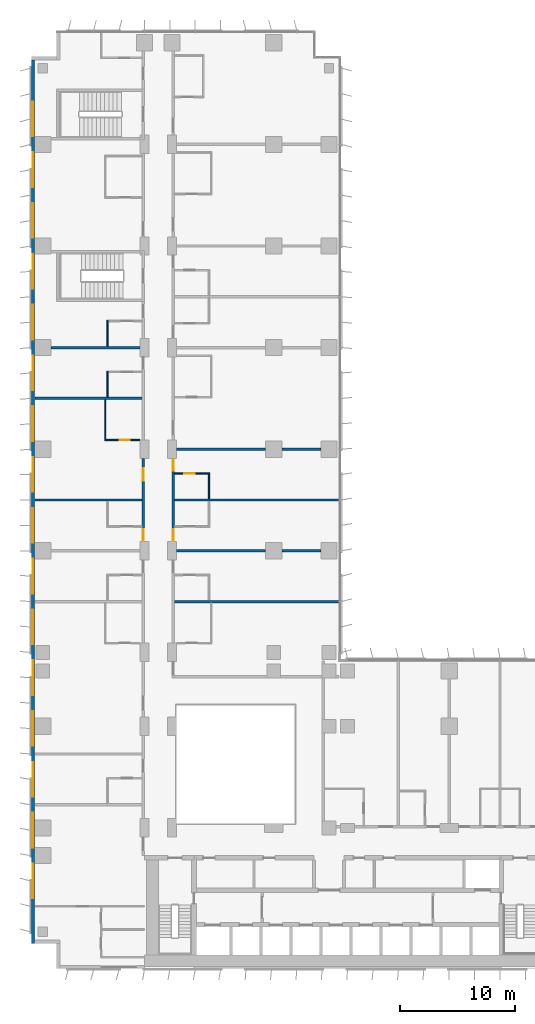
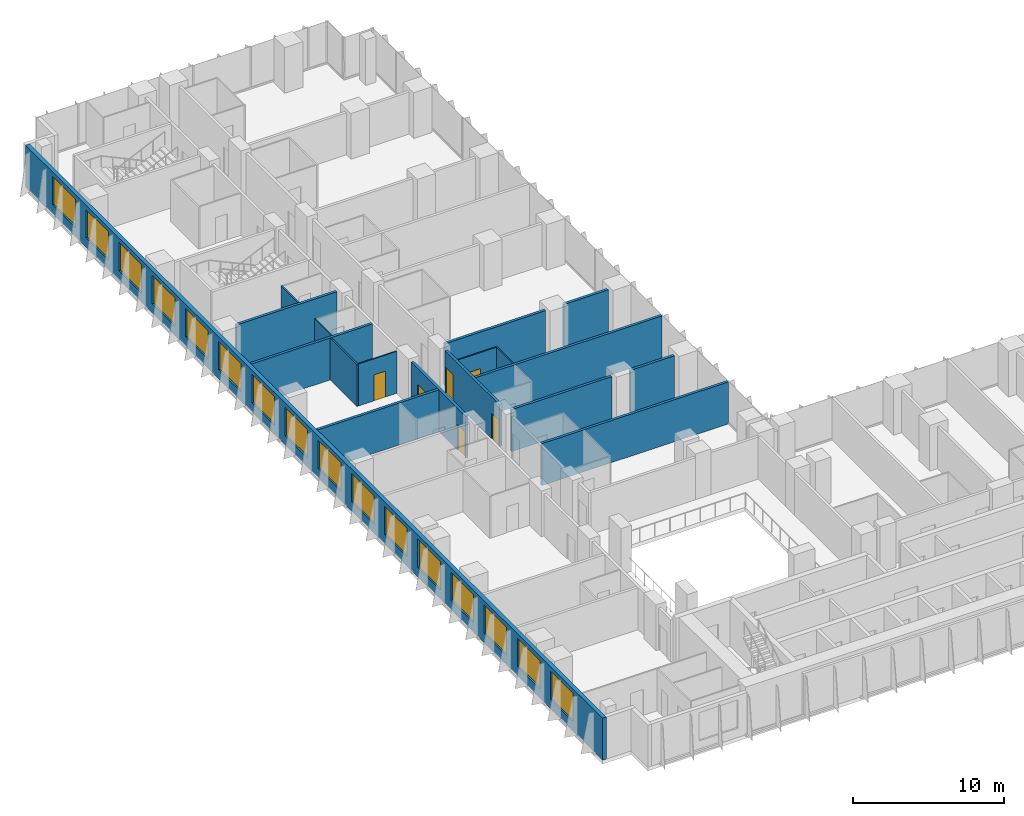
# One storey, part 16 of 24: 18 walls, 16 windows, 6 doors, 22 openings.
"""IFC4 building model written with IfcOpenShell, lengths in metres."""

from ifc_helpers import new_model, si_unit, direction, frame, frame_2d, origin, place, context, subcontext, project, spatial, rectangle, extrude, material, layer, layer_set, type_object, element, fill, save


model = new_model("IFC4")

# Units and contexts
model_context = context("Model", 3, precision=1e-05, world=origin(), true_north=direction((0.0, 1.0)))
body_context = subcontext(model_context, "Body", "Model", "MODEL_VIEW")
ifc_project = project(units=[si_unit("LENGTHUNIT", "METRE"), si_unit("AREAUNIT", "SQUARE_METRE"), si_unit("VOLUMEUNIT", "CUBIC_METRE"), si_unit("PLANEANGLEUNIT", "RADIAN"), si_unit("MASSUNIT", "GRAM", prefix="KILO")], contexts=[model_context])

# Site, building, storey
site_placement = place(None, origin())
site = spatial("IfcSite", under=ifc_project, at=site_placement, CompositionType="ELEMENT")
building_placement = place(site_placement, origin())
building = spatial("IfcBuilding", under=site, at=building_placement, Name="Kemantara Hotel Tower", CompositionType="ELEMENT")
storey_placement = place(building_placement, frame((0.0, 0.0, 63.60009765625)))
storey = spatial("IfcBuildingStorey", under=building, at=storey_placement, Name="L14", CompositionType="ELEMENT", Elevation=63.60009765625)

# Wall, openings, windows
ifc_material_1 = material(Name="Bronze anodised aluminium cladding on insulated steel stud wall", Category="steel")
ifc_layer_1 = layer(ifc_material_1, 0.300048828125)
ifc_layer_set_1 = layer_set([ifc_layer_1], Name="Bronze anodised aluminium cladding on insulated steel stud wall")
wall_type_1 = type_object("IfcWallType", Name="BRONZE METAL-CLAD EXTERNAL WALL 300", PredefinedType="STANDARD", material=ifc_layer_set_1)
wall_1_placement = place(storey_placement, frame((0.14990234375, 78.699951171875, 0.0), z_axis=(0.0, 0.0, 1.0), x_axis=(0.0, -1.0, 0.0)))
wall_1 = element("IfcWall", 1, at=wall_1_placement, inside=storey, type_object=wall_type_1, Name="EXTERNAL WALL L14 T1-R14", PredefinedType="STANDARD", context=body_context, shape_type="SweptSolid", body=[
    extrude(rectangle(XDim=76.5, YDim=0.300048828125, at=frame_2d((38.25, 0.0))), origin(), (0.0, 0.0, 1.0), 3.39990234375),
])
opening_1_placement = place(wall_1_placement, frame((3.60009765625, 0.0, 0.75)))
opening_1 = element("IfcOpeningElement", 2, at=opening_1_placement, cuts=wall_1, Name="Opening W1", PredefinedType="OPENING", context=body_context, shape_type="SweptSolid", body=[
    extrude(rectangle(XDim=3.0, YDim=2.300048828125, at=frame_2d((1.5, 1.14990234375))), frame((0.0, 0.159912109375, 0.0), z_axis=(0.0, -1.0, 0.0), x_axis=(1.0, 0.0, 0.0)), (0.0, 0.0, 1.0), 0.320068359375),
])
opening_2_placement = place(wall_1_placement, frame((8.0, 0.0, 0.75)))
opening_2 = element("IfcOpeningElement", 3, at=opening_2_placement, cuts=wall_1, Name="Opening W1", PredefinedType="OPENING", context=body_context, shape_type="SweptSolid", body=[
    extrude(rectangle(XDim=3.0, YDim=2.300048828125, at=frame_2d((1.5, 1.14990234375))), frame((0.0, 0.159912109375, 0.0), z_axis=(0.0, -1.0, 0.0), x_axis=(1.0, 0.0, 0.0)), (0.0, 0.0, 1.0), 0.320068359375),
])
opening_3_placement = place(wall_1_placement, frame((12.39990234375, 0.0, 0.75)))
opening_3 = element("IfcOpeningElement", 4, at=opening_3_placement, cuts=wall_1, Name="Opening W1", PredefinedType="OPENING", context=body_context, shape_type="SweptSolid", body=[
    extrude(rectangle(XDim=3.0, YDim=2.300048828125, at=frame_2d((1.5, 1.14990234375))), frame((0.0, 0.159912109375, 0.0), z_axis=(0.0, -1.0, 0.0), x_axis=(1.0, 0.0, 0.0)), (0.0, 0.0, 1.0), 0.320068359375),
])
opening_4_placement = place(wall_1_placement, frame((16.800048828125, 0.0, 0.75)))
opening_4 = element("IfcOpeningElement", 5, at=opening_4_placement, cuts=wall_1, Name="Opening W1", PredefinedType="OPENING", context=body_context, shape_type="SweptSolid", body=[
    extrude(rectangle(XDim=3.0, YDim=2.300048828125, at=frame_2d((1.5, 1.14990234375))), frame((0.0, 0.159912109375, 0.0), z_axis=(0.0, -1.0, 0.0), x_axis=(1.0, 0.0, 0.0)), (0.0, 0.0, 1.0), 0.320068359375),
])
opening_5_placement = place(wall_1_placement, frame((21.199951171875, 0.0, 0.75)))
opening_5 = element("IfcOpeningElement", 6, at=opening_5_placement, cuts=wall_1, Name="Opening W1", PredefinedType="OPENING", context=body_context, shape_type="SweptSolid", body=[
    extrude(rectangle(XDim=3.0, YDim=2.300048828125, at=frame_2d((1.5, 1.14990234375))), frame((0.0, 0.159912109375, 0.0), z_axis=(0.0, -1.0, 0.0), x_axis=(1.0, 0.0, 0.0)), (0.0, 0.0, 1.0), 0.320068359375),
])
opening_6_placement = place(wall_1_placement, frame((25.60009765625, 0.0, 0.75)))
opening_6 = element("IfcOpeningElement", 7, at=opening_6_placement, cuts=wall_1, Name="Opening W1", PredefinedType="OPENING", context=body_context, shape_type="SweptSolid", body=[
    extrude(rectangle(XDim=3.0, YDim=2.300048828125, at=frame_2d((1.5, 1.14990234375))), frame((0.0, 0.159912109375, 0.0), z_axis=(0.0, -1.0, 0.0), x_axis=(1.0, 0.0, 0.0)), (0.0, 0.0, 1.0), 0.320068359375),
])
opening_7_placement = place(wall_1_placement, frame((30.0, 0.0, 0.75)))
opening_7 = element("IfcOpeningElement", 8, at=opening_7_placement, cuts=wall_1, Name="Opening W1", PredefinedType="OPENING", context=body_context, shape_type="SweptSolid", body=[
    extrude(rectangle(XDim=3.0, YDim=2.300048828125, at=frame_2d((1.5, 1.14990234375))), frame((0.0, 0.159912109375, 0.0), z_axis=(0.0, -1.0, 0.0), x_axis=(1.0, 0.0, 0.0)), (0.0, 0.0, 1.0), 0.320068359375),
])
opening_8_placement = place(wall_1_placement, frame((34.39990234375, 0.0, 0.75)))
opening_8 = element("IfcOpeningElement", 9, at=opening_8_placement, cuts=wall_1, Name="Opening W1", PredefinedType="OPENING", context=body_context, shape_type="SweptSolid", body=[
    extrude(rectangle(XDim=3.0, YDim=2.300048828125, at=frame_2d((1.5, 1.14990234375))), frame((0.0, 0.159912109375, 0.0), z_axis=(0.0, -1.0, 0.0), x_axis=(1.0, 0.0, 0.0)), (0.0, 0.0, 1.0), 0.320068359375),
])
opening_9_placement = place(wall_1_placement, frame((38.800048828125, 0.0, 0.75)))
opening_9 = element("IfcOpeningElement", 10, at=opening_9_placement, cuts=wall_1, Name="Opening W1", PredefinedType="OPENING", context=body_context, shape_type="SweptSolid", body=[
    extrude(rectangle(XDim=3.0, YDim=2.300048828125, at=frame_2d((1.5, 1.14990234375))), frame((0.0, 0.159912109375, 0.0), z_axis=(0.0, -1.0, 0.0), x_axis=(1.0, 0.0, 0.0)), (0.0, 0.0, 1.0), 0.320068359375),
])
opening_10_placement = place(wall_1_placement, frame((43.199951171875, 0.0, 0.75)))
opening_10 = element("IfcOpeningElement", 11, at=opening_10_placement, cuts=wall_1, Name="Opening W1", PredefinedType="OPENING", context=body_context, shape_type="SweptSolid", body=[
    extrude(rectangle(XDim=3.0, YDim=2.300048828125, at=frame_2d((1.5, 1.14990234375))), frame((0.0, 0.159912109375, 0.0), z_axis=(0.0, -1.0, 0.0), x_axis=(1.0, 0.0, 0.0)), (0.0, 0.0, 1.0), 0.320068359375),
])
opening_11_placement = place(wall_1_placement, frame((47.60009765625, 0.0, 0.75)))
opening_11 = element("IfcOpeningElement", 12, at=opening_11_placement, cuts=wall_1, Name="Opening W1", PredefinedType="OPENING", context=body_context, shape_type="SweptSolid", body=[
    extrude(rectangle(XDim=3.0, YDim=2.300048828125, at=frame_2d((1.5, 1.14990234375))), frame((0.0, 0.159912109375, 0.0), z_axis=(0.0, -1.0, 0.0), x_axis=(1.0, 0.0, 0.0)), (0.0, 0.0, 1.0), 0.320068359375),
])
opening_12_placement = place(wall_1_placement, frame((52.0, 0.0, 0.75)))
opening_12 = element("IfcOpeningElement", 13, at=opening_12_placement, cuts=wall_1, Name="Opening W1", PredefinedType="OPENING", context=body_context, shape_type="SweptSolid", body=[
    extrude(rectangle(XDim=3.0, YDim=2.300048828125, at=frame_2d((1.5, 1.14990234375))), frame((0.0, 0.159912109375, 0.0), z_axis=(0.0, -1.0, 0.0), x_axis=(1.0, 0.0, 0.0)), (0.0, 0.0, 1.0), 0.320068359375),
])
opening_13_placement = place(wall_1_placement, frame((56.39990234375, 0.0, 0.75)))
opening_13 = element("IfcOpeningElement", 14, at=opening_13_placement, cuts=wall_1, Name="Opening W1", PredefinedType="OPENING", context=body_context, shape_type="SweptSolid", body=[
    extrude(rectangle(XDim=3.0, YDim=2.300048828125, at=frame_2d((1.5, 1.14990234375))), frame((0.0, 0.159912109375, 0.0), z_axis=(0.0, -1.0, 0.0), x_axis=(1.0, 0.0, 0.0)), (0.0, 0.0, 1.0), 0.320068359375),
])
opening_14_placement = place(wall_1_placement, frame((60.800048828125, 0.0, 0.75)))
opening_14 = element("IfcOpeningElement", 15, at=opening_14_placement, cuts=wall_1, Name="Opening W1", PredefinedType="OPENING", context=body_context, shape_type="SweptSolid", body=[
    extrude(rectangle(XDim=3.0, YDim=2.300048828125, at=frame_2d((1.5, 1.14990234375))), frame((0.0, 0.159912109375, 0.0), z_axis=(0.0, -1.0, 0.0), x_axis=(1.0, 0.0, 0.0)), (0.0, 0.0, 1.0), 0.320068359375),
])
opening_15_placement = place(wall_1_placement, frame((65.199951171875, 0.0, 0.75)))
opening_15 = element("IfcOpeningElement", 16, at=opening_15_placement, cuts=wall_1, Name="Opening W1", PredefinedType="OPENING", context=body_context, shape_type="SweptSolid", body=[
    extrude(rectangle(XDim=3.0, YDim=2.300048828125, at=frame_2d((1.5, 1.14990234375))), frame((0.0, 0.159912109375, 0.0), z_axis=(0.0, -1.0, 0.0), x_axis=(1.0, 0.0, 0.0)), (0.0, 0.0, 1.0), 0.320068359375),
])
opening_16_placement = place(wall_1_placement, frame((69.60009765625, 0.0, 0.75)))
opening_16 = element("IfcOpeningElement", 17, at=opening_16_placement, cuts=wall_1, Name="Opening W1", PredefinedType="OPENING", context=body_context, shape_type="SweptSolid", body=[
    extrude(rectangle(XDim=3.0, YDim=2.300048828125, at=frame_2d((1.5, 1.14990234375))), frame((0.0, 0.159912109375, 0.0), z_axis=(0.0, -1.0, 0.0), x_axis=(1.0, 0.0, 0.0)), (0.0, 0.0, 1.0), 0.320068359375),
])
ifc_material_2 = material(Name="Low-E tinted double insulated glass in bronze anodised aluminium frame", Category="aluminium")
window_type = type_object("IfcWindowType", Name="CHICAGO WINDOW, TRIPLE PANEL 3000x2300", PartitioningType="TRIPLE_PANEL_VERTICAL", PredefinedType="WINDOW", material=ifc_material_2)
window_1_placement = place(opening_1_placement, origin())
window_1 = element("IfcWindow", 18, at=window_1_placement, inside=storey, type_object=window_type, Name="CHICAGO WINDOW L14 T1-R14-54", OverallHeight=2.300048828125, OverallWidth=3.0, PartitioningType="SINGLE_PANEL", PredefinedType="WINDOW", context=body_context, shape_type="SweptSolid", body=[
    extrude(rectangle(XDim=3.0, YDim=2.300048828125, at=frame_2d((1.5, 1.14990234375))), frame((0.0, 0.030029296875, 0.0), z_axis=(0.0, -1.0, 0.0), x_axis=(1.0, 0.0, 0.0)), (0.0, 0.0, 1.0), 0.06005859375),
])
fill(opening_1, window_1)
window_2_placement = place(opening_2_placement, origin())
window_2 = element("IfcWindow", 19, at=window_2_placement, inside=storey, type_object=window_type, Name="CHICAGO WINDOW L14 T1-R14-98", OverallHeight=2.300048828125, OverallWidth=3.0, PartitioningType="SINGLE_PANEL", PredefinedType="WINDOW", context=body_context, shape_type="SweptSolid", body=[
    extrude(rectangle(XDim=3.0, YDim=2.300048828125, at=frame_2d((1.5, 1.14990234375))), frame((0.0, 0.030029296875, 0.0), z_axis=(0.0, -1.0, 0.0), x_axis=(1.0, 0.0, 0.0)), (0.0, 0.0, 1.0), 0.06005859375),
])
fill(opening_2, window_2)
window_3_placement = place(opening_3_placement, origin())
window_3 = element("IfcWindow", 20, at=window_3_placement, inside=storey, type_object=window_type, Name="CHICAGO WINDOW L14 T1-R14-142", OverallHeight=2.300048828125, OverallWidth=3.0, PartitioningType="SINGLE_PANEL", PredefinedType="WINDOW", context=body_context, shape_type="SweptSolid", body=[
    extrude(rectangle(XDim=3.0, YDim=2.300048828125, at=frame_2d((1.5, 1.14990234375))), frame((0.0, 0.030029296875, 0.0), z_axis=(0.0, -1.0, 0.0), x_axis=(1.0, 0.0, 0.0)), (0.0, 0.0, 1.0), 0.06005859375),
])
fill(opening_3, window_3)
window_4_placement = place(opening_4_placement, origin())
window_4 = element("IfcWindow", 21, at=window_4_placement, inside=storey, type_object=window_type, Name="CHICAGO WINDOW L14 T1-R14-186", OverallHeight=2.300048828125, OverallWidth=3.0, PartitioningType="SINGLE_PANEL", PredefinedType="WINDOW", context=body_context, shape_type="SweptSolid", body=[
    extrude(rectangle(XDim=3.0, YDim=2.300048828125, at=frame_2d((1.5, 1.14990234375))), frame((0.0, 0.030029296875, 0.0), z_axis=(0.0, -1.0, 0.0), x_axis=(1.0, 0.0, 0.0)), (0.0, 0.0, 1.0), 0.06005859375),
])
fill(opening_4, window_4)
window_5_placement = place(opening_5_placement, origin())
window_5 = element("IfcWindow", 22, at=window_5_placement, inside=storey, type_object=window_type, Name="CHICAGO WINDOW L14 T1-R14-230", OverallHeight=2.300048828125, OverallWidth=3.0, PartitioningType="SINGLE_PANEL", PredefinedType="WINDOW", context=body_context, shape_type="SweptSolid", body=[
    extrude(rectangle(XDim=3.0, YDim=2.300048828125, at=frame_2d((1.5, 1.14990234375))), frame((0.0, 0.030029296875, 0.0), z_axis=(0.0, -1.0, 0.0), x_axis=(1.0, 0.0, 0.0)), (0.0, 0.0, 1.0), 0.06005859375),
])
fill(opening_5, window_5)
window_6_placement = place(opening_6_placement, origin())
window_6 = element("IfcWindow", 23, at=window_6_placement, inside=storey, type_object=window_type, Name="CHICAGO WINDOW L14 T1-R14-274", OverallHeight=2.300048828125, OverallWidth=3.0, PartitioningType="SINGLE_PANEL", PredefinedType="WINDOW", context=body_context, shape_type="SweptSolid", body=[
    extrude(rectangle(XDim=3.0, YDim=2.300048828125, at=frame_2d((1.5, 1.14990234375))), frame((0.0, 0.030029296875, 0.0), z_axis=(0.0, -1.0, 0.0), x_axis=(1.0, 0.0, 0.0)), (0.0, 0.0, 1.0), 0.06005859375),
])
fill(opening_6, window_6)
window_7_placement = place(opening_7_placement, origin())
window_7 = element("IfcWindow", 24, at=window_7_placement, inside=storey, type_object=window_type, Name="CHICAGO WINDOW L14 T1-R14-318", OverallHeight=2.300048828125, OverallWidth=3.0, PartitioningType="SINGLE_PANEL", PredefinedType="WINDOW", context=body_context, shape_type="SweptSolid", body=[
    extrude(rectangle(XDim=3.0, YDim=2.300048828125, at=frame_2d((1.5, 1.14990234375))), frame((0.0, 0.030029296875, 0.0), z_axis=(0.0, -1.0, 0.0), x_axis=(1.0, 0.0, 0.0)), (0.0, 0.0, 1.0), 0.06005859375),
])
fill(opening_7, window_7)
window_8_placement = place(opening_8_placement, origin())
window_8 = element("IfcWindow", 25, at=window_8_placement, inside=storey, type_object=window_type, Name="CHICAGO WINDOW L14 T1-R14-362", OverallHeight=2.300048828125, OverallWidth=3.0, PartitioningType="SINGLE_PANEL", PredefinedType="WINDOW", context=body_context, shape_type="SweptSolid", body=[
    extrude(rectangle(XDim=3.0, YDim=2.300048828125, at=frame_2d((1.5, 1.14990234375))), frame((0.0, 0.030029296875, 0.0), z_axis=(0.0, -1.0, 0.0), x_axis=(1.0, 0.0, 0.0)), (0.0, 0.0, 1.0), 0.06005859375),
])
fill(opening_8, window_8)
window_9_placement = place(opening_9_placement, origin())
window_9 = element("IfcWindow", 26, at=window_9_placement, inside=storey, type_object=window_type, Name="CHICAGO WINDOW L14 T1-R14-406", OverallHeight=2.300048828125, OverallWidth=3.0, PartitioningType="SINGLE_PANEL", PredefinedType="WINDOW", context=body_context, shape_type="SweptSolid", body=[
    extrude(rectangle(XDim=3.0, YDim=2.300048828125, at=frame_2d((1.5, 1.14990234375))), frame((0.0, 0.030029296875, 0.0), z_axis=(0.0, -1.0, 0.0), x_axis=(1.0, 0.0, 0.0)), (0.0, 0.0, 1.0), 0.06005859375),
])
fill(opening_9, window_9)
window_10_placement = place(opening_10_placement, origin())
window_10 = element("IfcWindow", 27, at=window_10_placement, inside=storey, type_object=window_type, Name="CHICAGO WINDOW L14 T1-R14-450", OverallHeight=2.300048828125, OverallWidth=3.0, PartitioningType="SINGLE_PANEL", PredefinedType="WINDOW", context=body_context, shape_type="SweptSolid", body=[
    extrude(rectangle(XDim=3.0, YDim=2.300048828125, at=frame_2d((1.5, 1.14990234375))), frame((0.0, 0.030029296875, 0.0), z_axis=(0.0, -1.0, 0.0), x_axis=(1.0, 0.0, 0.0)), (0.0, 0.0, 1.0), 0.06005859375),
])
fill(opening_10, window_10)
window_11_placement = place(opening_11_placement, origin())
window_11 = element("IfcWindow", 28, at=window_11_placement, inside=storey, type_object=window_type, Name="CHICAGO WINDOW L14 T1-R14-494", OverallHeight=2.300048828125, OverallWidth=3.0, PartitioningType="SINGLE_PANEL", PredefinedType="WINDOW", context=body_context, shape_type="SweptSolid", body=[
    extrude(rectangle(XDim=3.0, YDim=2.300048828125, at=frame_2d((1.5, 1.14990234375))), frame((0.0, 0.030029296875, 0.0), z_axis=(0.0, -1.0, 0.0), x_axis=(1.0, 0.0, 0.0)), (0.0, 0.0, 1.0), 0.06005859375),
])
fill(opening_11, window_11)
window_12_placement = place(opening_12_placement, origin())
window_12 = element("IfcWindow", 29, at=window_12_placement, inside=storey, type_object=window_type, Name="CHICAGO WINDOW L14 T1-R14-538", OverallHeight=2.300048828125, OverallWidth=3.0, PartitioningType="SINGLE_PANEL", PredefinedType="WINDOW", context=body_context, shape_type="SweptSolid", body=[
    extrude(rectangle(XDim=3.0, YDim=2.300048828125, at=frame_2d((1.5, 1.14990234375))), frame((0.0, 0.030029296875, 0.0), z_axis=(0.0, -1.0, 0.0), x_axis=(1.0, 0.0, 0.0)), (0.0, 0.0, 1.0), 0.06005859375),
])
fill(opening_12, window_12)
window_13_placement = place(opening_13_placement, origin())
window_13 = element("IfcWindow", 30, at=window_13_placement, inside=storey, type_object=window_type, Name="CHICAGO WINDOW L14 T1-R14-582", OverallHeight=2.300048828125, OverallWidth=3.0, PartitioningType="SINGLE_PANEL", PredefinedType="WINDOW", context=body_context, shape_type="SweptSolid", body=[
    extrude(rectangle(XDim=3.0, YDim=2.300048828125, at=frame_2d((1.5, 1.14990234375))), frame((0.0, 0.030029296875, 0.0), z_axis=(0.0, -1.0, 0.0), x_axis=(1.0, 0.0, 0.0)), (0.0, 0.0, 1.0), 0.06005859375),
])
fill(opening_13, window_13)
window_14_placement = place(opening_14_placement, origin())
window_14 = element("IfcWindow", 31, at=window_14_placement, inside=storey, type_object=window_type, Name="CHICAGO WINDOW L14 T1-R14-626", OverallHeight=2.300048828125, OverallWidth=3.0, PartitioningType="SINGLE_PANEL", PredefinedType="WINDOW", context=body_context, shape_type="SweptSolid", body=[
    extrude(rectangle(XDim=3.0, YDim=2.300048828125, at=frame_2d((1.5, 1.14990234375))), frame((0.0, 0.030029296875, 0.0), z_axis=(0.0, -1.0, 0.0), x_axis=(1.0, 0.0, 0.0)), (0.0, 0.0, 1.0), 0.06005859375),
])
fill(opening_14, window_14)
window_15_placement = place(opening_15_placement, origin())
window_15 = element("IfcWindow", 32, at=window_15_placement, inside=storey, type_object=window_type, Name="CHICAGO WINDOW L14 T1-R14-670", OverallHeight=2.300048828125, OverallWidth=3.0, PartitioningType="SINGLE_PANEL", PredefinedType="WINDOW", context=body_context, shape_type="SweptSolid", body=[
    extrude(rectangle(XDim=3.0, YDim=2.300048828125, at=frame_2d((1.5, 1.14990234375))), frame((0.0, 0.030029296875, 0.0), z_axis=(0.0, -1.0, 0.0), x_axis=(1.0, 0.0, 0.0)), (0.0, 0.0, 1.0), 0.06005859375),
])
fill(opening_15, window_15)
window_16_placement = place(opening_16_placement, origin())
window_16 = element("IfcWindow", 33, at=window_16_placement, inside=storey, type_object=window_type, Name="CHICAGO WINDOW L14 T1-R14-714", OverallHeight=2.300048828125, OverallWidth=3.0, PartitioningType="SINGLE_PANEL", PredefinedType="WINDOW", context=body_context, shape_type="SweptSolid", body=[
    extrude(rectangle(XDim=3.0, YDim=2.300048828125, at=frame_2d((1.5, 1.14990234375))), frame((0.0, 0.030029296875, 0.0), z_axis=(0.0, -1.0, 0.0), x_axis=(1.0, 0.0, 0.0)), (0.0, 0.0, 1.0), 0.06005859375),
])
fill(opening_16, window_16)

# Wall, openings, doors
ifc_material_3 = material(Name="Gypsum board partition, steel studs and mineral wool, 200 mm", Category="steel")
ifc_layer_2 = layer(ifc_material_3, 0.199951171875)
ifc_layer_set_2 = layer_set([ifc_layer_2], Name="Gypsum board partition, steel studs and mineral wool, 200 mm")
wall_type_2 = type_object("IfcWallType", Name="CORRIDOR WALL 200", PredefinedType="PARTITIONING", material=ifc_layer_set_2)
wall_2_placement = place(storey_placement, frame((9.699951171875, 37.0, 0.0), z_axis=(0.0, 0.0, 1.0), x_axis=(0.0, 1.0, 0.0)))
wall_2 = element("IfcWall", 34, at=wall_2_placement, inside=storey, type_object=wall_type_2, Name="CORRIDOR WALL 200 030", PredefinedType="PARTITIONING", context=body_context, shape_type="SweptSolid", body=[
    extrude(rectangle(XDim=7.199951171875, YDim=0.199951171875, at=frame_2d((3.60009765625, 0.0))), origin(), (0.0, 0.0, 1.0), 3.39990234375),
])
opening_17_placement = place(wall_2_placement, frame((0.0498046875, 0.0, 0.0)))
opening_17 = element("IfcOpeningElement", 35, at=opening_17_placement, cuts=wall_2, Name="Opening F05-037", PredefinedType="OPENING", context=body_context, shape_type="SweptSolid", body=[
    extrude(rectangle(XDim=1.0, YDim=2.10009765625, at=frame_2d((0.5, 1.050048828125))), frame((0.0, 0.10986328125, 0.0), z_axis=(0.0, -1.0, 0.0), x_axis=(1.0, 0.0, 0.0)), (0.0, 0.0, 1.0), 0.219970703125),
])
opening_18_placement = place(wall_2_placement, frame((5.25, 0.0, 0.0)))
opening_18 = element("IfcOpeningElement", 36, at=opening_18_placement, cuts=wall_2, Name="Opening F05-039", PredefinedType="OPENING", context=body_context, shape_type="SweptSolid", body=[
    extrude(rectangle(XDim=1.10009765625, YDim=2.10009765625, at=frame_2d((0.550048828125, 1.050048828125))), frame((0.0, 0.10986328125, 0.0), z_axis=(0.0, -1.0, 0.0), x_axis=(1.0, 0.0, 0.0)), (0.0, 0.0, 1.0), 0.219970703125),
])
ifc_material_4 = material(Name="Hardwood veneer door leaf with steel frame", Category="steel")
door_type_1 = type_object("IfcDoorType", Name="GUEST ROOM DOOR 1000 X 2100 FD30S", OperationType="NOTDEFINED", PredefinedType="DOOR", material=ifc_material_4)
door_1_placement = place(opening_17_placement, origin())
door_1 = element("IfcDoor", 37, at=door_1_placement, inside=storey, type_object=door_type_1, Name="GUEST ROOM DOOR F05-037", OperationType="SINGLE_SWING_LEFT", OverallHeight=2.10009765625, OverallWidth=1.0, PredefinedType="DOOR", context=body_context, shape_type="SweptSolid", body=[
    extrude(rectangle(XDim=1.0, YDim=2.10009765625, at=frame_2d((0.5, 1.050048828125))), frame((0.0, 0.02490234375, 0.0), z_axis=(0.0, -1.0, 0.0), x_axis=(1.0, 0.0, 0.0)), (0.0, 0.0, 1.0), 0.050048828125),
])
fill(opening_17, door_1)
door_type_2 = type_object("IfcDoorType", Name="SUITE ENTRANCE DOOR 1100 X 2100 FD30S", OperationType="NOTDEFINED", PredefinedType="DOOR", material=ifc_material_4)
door_2_placement = place(opening_18_placement, origin())
door_2 = element("IfcDoor", 38, at=door_2_placement, inside=storey, type_object=door_type_2, Name="SUITE ENTRANCE DOOR F05-039", OperationType="SINGLE_SWING_LEFT", OverallHeight=2.10009765625, OverallWidth=1.10009765625, PredefinedType="DOOR", context=body_context, shape_type="SweptSolid", body=[
    extrude(rectangle(XDim=1.10009765625, YDim=2.10009765625, at=frame_2d((0.550048828125, 1.050048828125))), frame((0.0, 0.02490234375, 0.0), z_axis=(0.0, -1.0, 0.0), x_axis=(1.0, 0.0, 0.0)), (0.0, 0.0, 1.0), 0.050048828125),
])
fill(opening_18, door_2)

wall_3_placement = place(storey_placement, frame((12.300048828125, 44.199951171875, 0.0), z_axis=(0.0, 0.0, 1.0), x_axis=(0.0, -1.0, 0.0)))
wall_3 = element("IfcWall", 39, at=wall_3_placement, inside=storey, type_object=wall_type_2, Name="CORRIDOR WALL 200 050", PredefinedType="PARTITIONING", context=body_context, shape_type="SweptSolid", body=[
    extrude(rectangle(XDim=7.199951171875, YDim=0.199951171875, at=frame_2d((3.60009765625, 0.0))), origin(), (0.0, 0.0, 1.0), 3.39990234375),
])
opening_19_placement = place(wall_3_placement, frame((6.14990234375, 0.0, 0.0)))
opening_19 = element("IfcOpeningElement", 40, at=opening_19_placement, cuts=wall_3, Name="Opening F05-053", PredefinedType="OPENING", context=body_context, shape_type="SweptSolid", body=[
    extrude(rectangle(XDim=1.0, YDim=2.10009765625, at=frame_2d((0.5, 1.050048828125))), frame((0.0, 0.10986328125, 0.0), z_axis=(0.0, -1.0, 0.0), x_axis=(1.0, 0.0, 0.0)), (0.0, 0.0, 1.0), 0.219970703125),
])
opening_20_placement = place(wall_3_placement, frame((0.0498046875, 0.0, 0.0)))
opening_20 = element("IfcOpeningElement", 41, at=opening_20_placement, cuts=wall_3, Name="Opening F05-055", PredefinedType="OPENING", context=body_context, shape_type="SweptSolid", body=[
    extrude(rectangle(XDim=1.0, YDim=2.10009765625, at=frame_2d((0.5, 1.050048828125))), frame((0.0, 0.10986328125, 0.0), z_axis=(0.0, -1.0, 0.0), x_axis=(1.0, 0.0, 0.0)), (0.0, 0.0, 1.0), 0.219970703125),
])
door_3_placement = place(opening_19_placement, origin())
door_3 = element("IfcDoor", 42, at=door_3_placement, inside=storey, type_object=door_type_1, Name="GUEST ROOM DOOR F05-053", OperationType="SINGLE_SWING_RIGHT", OverallHeight=2.10009765625, OverallWidth=1.0, PredefinedType="DOOR", context=body_context, shape_type="SweptSolid", body=[
    extrude(rectangle(XDim=1.0, YDim=2.10009765625, at=frame_2d((0.5, 1.050048828125))), frame((0.0, 0.02490234375, 0.0), z_axis=(0.0, -1.0, 0.0), x_axis=(1.0, 0.0, 0.0)), (0.0, 0.0, 1.0), 0.050048828125),
])
fill(opening_19, door_3)
door_4_placement = place(opening_20_placement, origin())
door_4 = element("IfcDoor", 43, at=door_4_placement, inside=storey, type_object=door_type_1, Name="GUEST ROOM DOOR F05-055", OperationType="SINGLE_SWING_LEFT", OverallHeight=2.10009765625, OverallWidth=1.0, PredefinedType="DOOR", context=body_context, shape_type="SweptSolid", body=[
    extrude(rectangle(XDim=1.0, YDim=2.10009765625, at=frame_2d((0.5, 1.050048828125))), frame((0.0, 0.02490234375, 0.0), z_axis=(0.0, -1.0, 0.0), x_axis=(1.0, 0.0, 0.0)), (0.0, 0.0, 1.0), 0.050048828125),
])
fill(opening_20, door_4)

# Walls
ifc_layer_3 = layer(ifc_material_3, 0.199951171875)
ifc_layer_set_3 = layer_set([ifc_layer_3], Name="Gypsum board partition, steel studs and mineral wool, 200 mm")
wall_type_3 = type_object("IfcWallType", Name="GUEST ROOM PARTY WALL 200", PredefinedType="PARTITIONING", material=ifc_layer_set_3)
wall_4_placement = place(storey_placement, frame((12.39990234375, 31.800048828125, 0.0), z_axis=(0.0, 0.0, 1.0), x_axis=(1.0, 0.0, 0.0)))
element("IfcWall", 44, at=wall_4_placement, inside=storey, type_object=wall_type_3, Name="GUEST ROOM PARTY WALL 200 038", PredefinedType="PARTITIONING", context=body_context, shape_type="SweptSolid", body=[
    extrude(rectangle(XDim=14.27001953125, YDim=0.199951171875, at=frame_2d((7.135009765625, 0.0))), origin(), (0.0, 0.0, 1.0), 3.39990234375),
])
wall_5_placement = place(storey_placement, frame((12.60009765625, 36.199951171875, 0.0), z_axis=(0.0, 0.0, 1.0), x_axis=(1.0, 0.0, 0.0)))
element("IfcWall", 45, at=wall_5_placement, inside=storey, type_object=wall_type_3, Name="GUEST ROOM PARTY WALL 200 040", PredefinedType="PARTITIONING", context=body_context, shape_type="SweptSolid", body=[
    extrude(rectangle(XDim=7.69970703125, YDim=0.199951171875, at=frame_2d((3.849853515625, 0.0))), origin(), (0.0, 0.0, 1.0), 3.39990234375),
])
wall_6_placement = place(storey_placement, frame((21.7001953125, 36.199951171875, 0.0), z_axis=(0.0, 0.0, 1.0), x_axis=(1.0, 0.0, 0.0)))
element("IfcWall", 46, at=wall_6_placement, inside=storey, type_object=wall_type_3, Name="GUEST ROOM PARTY WALL 200 041", PredefinedType="PARTITIONING", context=body_context, shape_type="SweptSolid", body=[
    extrude(rectangle(XDim=3.399658203125, YDim=0.199951171875, at=frame_2d((1.69970703125, 0.0))), origin(), (0.0, 0.0, 1.0), 3.39990234375),
])
wall_7_placement = place(storey_placement, frame((0.31005859375, 40.60009765625, 0.0), z_axis=(0.0, 0.0, 1.0), x_axis=(1.0, 0.0, 0.0)))
element("IfcWall", 47, at=wall_7_placement, inside=storey, type_object=wall_type_3, Name="GUEST ROOM PARTY WALL 200 042", PredefinedType="PARTITIONING", context=body_context, shape_type="SweptSolid", body=[
    extrude(rectangle(XDim=9.2900390625, YDim=0.199951171875, at=frame_2d((4.64501953125, 0.0))), origin(), (0.0, 0.0, 1.0), 3.39990234375),
])
wall_8_placement = place(storey_placement, frame((12.39990234375, 40.60009765625, 0.0), z_axis=(0.0, 0.0, 1.0), x_axis=(1.0, 0.0, 0.0)))
element("IfcWall", 48, at=wall_8_placement, inside=storey, type_object=wall_type_3, Name="GUEST ROOM PARTY WALL 200 043", PredefinedType="PARTITIONING", context=body_context, shape_type="SweptSolid", body=[
    extrude(rectangle(XDim=14.27001953125, YDim=0.199951171875, at=frame_2d((7.135009765625, 0.0))), origin(), (0.0, 0.0, 1.0), 3.39990234375),
])
wall_9_placement = place(storey_placement, frame((0.31005859375, 49.39990234375, 0.0), z_axis=(0.0, 0.0, 1.0), x_axis=(1.0, 0.0, 0.0)))
element("IfcWall", 49, at=wall_9_placement, inside=storey, type_object=wall_type_3, Name="GUEST ROOM PARTY WALL 200 044", PredefinedType="PARTITIONING", context=body_context, shape_type="SweptSolid", body=[
    extrude(rectangle(XDim=9.2900390625, YDim=0.199951171875, at=frame_2d((4.64501953125, 0.0))), origin(), (0.0, 0.0, 1.0), 3.39990234375),
])
for number, where, z_axis, x_axis, name in (
    (50, (1.7001953125, 53.800048828125, 0.0), (0.0, 0.0, 1.0), (1.0, 0.0, 0.0), "GUEST ROOM PARTY WALL 200 045"),
    (51, (12.60009765625, 45.0, 0.0), (0.0, 0.0, 1.0), (1.0, 0.0, 0.0), "GUEST ROOM PARTY WALL 200 058"),
):
    element("IfcWall", number, at=place(storey_placement, frame(where, z_axis=z_axis, x_axis=x_axis)), inside=storey, type_object=wall_type_3, Name=name, PredefinedType="PARTITIONING", context=body_context, shape_type="SweptSolid", body=[
        extrude(rectangle(XDim=7.69970703125, YDim=0.199951171875, at=frame_2d((3.849853515625, 0.0))), origin(), (0.0, 0.0, 1.0), 3.39990234375),
    ])
wall_10_placement = place(storey_placement, frame((21.7001953125, 45.0, 0.0), z_axis=(0.0, 0.0, 1.0), x_axis=(1.0, 0.0, 0.0)))
element("IfcWall", 52, at=wall_10_placement, inside=storey, type_object=wall_type_3, Name="GUEST ROOM PARTY WALL 200 059", PredefinedType="PARTITIONING", context=body_context, shape_type="SweptSolid", body=[
    extrude(rectangle(XDim=3.399658203125, YDim=0.199951171875, at=frame_2d((1.69970703125, 0.0))), origin(), (0.0, 0.0, 1.0), 3.39990234375),
])
ifc_material_5 = material(Name="Gypsum board partition on steel studs, 100 mm", Category="steel")
ifc_layer_4 = layer(ifc_material_5, 0.10009765625)
ifc_layer_set_4 = layer_set([ifc_layer_4], Name="Gypsum board partition on steel studs, 100 mm")
wall_type_4 = type_object("IfcWallType", Name="ROOM PARTITION 100", PredefinedType="PARTITIONING", material=ifc_layer_set_4)
for number, where, z_axis, x_axis, name in (
    (53, (6.60009765625, 49.5, 0.0), (0.0, 0.0, 1.0), (0.0, 1.0, 0.0), "ROOM PARTITION 100 099"),
    (54, (6.60009765625, 53.89990234375, 0.0), (0.0, 0.0, 1.0), (0.0, 1.0, 0.0), "ROOM PARTITION 100 100"),
):
    element("IfcWall", number, at=place(storey_placement, frame(where, z_axis=z_axis, x_axis=x_axis)), inside=storey, type_object=wall_type_4, Name=name, PredefinedType="PARTITIONING", context=body_context, shape_type="SweptSolid", body=[
        extrude(rectangle(XDim=2.25, YDim=0.10009765625, at=frame_2d((1.125, 0.0))), origin(), (0.0, 0.0, 1.0), 3.39990234375),
    ])
wall_11_placement = place(storey_placement, frame((6.39990234375, 45.75, 0.0), z_axis=(0.0, 0.0, 1.0), x_axis=(0.0, 1.0, 0.0)))
element("IfcWall", 55, at=wall_11_placement, inside=storey, type_object=wall_type_4, Name="ROOM PARTITION 100 103", PredefinedType="PARTITIONING", context=body_context, shape_type="SweptSolid", body=[
    extrude(rectangle(XDim=3.550048828125, YDim=0.10009765625, at=frame_2d((1.77490234375, 0.0))), origin(), (0.0, 0.0, 1.0), 3.39990234375),
])

# Wall, opening, door
wall_12_placement = place(storey_placement, frame((6.449951171875, 45.800048828125, 0.0), z_axis=(0.0, 0.0, 1.0), x_axis=(1.0, 0.0, 0.0)))
wall_12 = element("IfcWall", 56, at=wall_12_placement, inside=storey, type_object=wall_type_4, Name="ROOM PARTITION 100 111", PredefinedType="PARTITIONING", context=body_context, shape_type="SweptSolid", body=[
    extrude(rectangle(XDim=2.949951171875, YDim=0.10009765625, at=frame_2d((1.47509765625, 0.0))), origin(), (0.0, 0.0, 1.0), 3.39990234375),
])
opening_21_placement = place(wall_12_placement, frame((1.199951171875, 0.0, 0.0)))
opening_21 = element("IfcOpeningElement", 57, at=opening_21_placement, cuts=wall_12, Name="Opening F05-040", PredefinedType="OPENING", context=body_context, shape_type="SweptSolid", body=[
    extrude(rectangle(XDim=0.89990234375, YDim=2.10009765625, at=frame_2d((0.449951171875, 1.050048828125))), frame((0.0, 0.06005859375, 0.0), z_axis=(0.0, -1.0, 0.0), x_axis=(1.0, 0.0, 0.0)), (0.0, 0.0, 1.0), 0.1201171875),
])
door_type_3 = type_object("IfcDoorType", Name="BATHROOM DOOR 900 X 2100", OperationType="NOTDEFINED", PredefinedType="DOOR", material=ifc_material_4)
door_5_placement = place(opening_21_placement, origin())
door_5 = element("IfcDoor", 58, at=door_5_placement, inside=storey, type_object=door_type_3, Name="BATHROOM DOOR F05-040", OperationType="SINGLE_SWING_RIGHT", OverallHeight=2.10009765625, OverallWidth=0.89990234375, PredefinedType="DOOR", context=body_context, shape_type="SweptSolid", body=[
    extrude(rectangle(XDim=0.89990234375, YDim=2.10009765625, at=frame_2d((0.449951171875, 1.050048828125))), frame((0.0, 0.02490234375, 0.0), z_axis=(0.0, -1.0, 0.0), x_axis=(1.0, 0.0, 0.0)), (0.0, 0.0, 1.0), 0.050048828125),
])
fill(opening_21, door_5)

# Wall
wall_13_placement = place(storey_placement, frame((15.39990234375, 40.699951171875, 0.0), z_axis=(0.0, 0.0, 1.0), x_axis=(0.0, 1.0, 0.0)))
element("IfcWall", 59, at=wall_13_placement, inside=storey, type_object=wall_type_4, Name="ROOM PARTITION 100 122", PredefinedType="PARTITIONING", context=body_context, shape_type="SweptSolid", body=[
    extrude(rectangle(XDim=2.25, YDim=0.10009765625, at=frame_2d((1.125, 0.0))), origin(), (0.0, 0.0, 1.0), 3.39990234375),
])

# Wall, opening, door
wall_14_placement = place(storey_placement, frame((15.35009765625, 42.89990234375, 0.0), z_axis=(0.0, 0.0, 1.0), x_axis=(-1.0, 0.0, 0.0)))
wall_14 = element("IfcWall", 60, at=wall_14_placement, inside=storey, type_object=wall_type_4, Name="ROOM PARTITION 100 125", PredefinedType="PARTITIONING", context=body_context, shape_type="SweptSolid", body=[
    extrude(rectangle(XDim=2.9501953125, YDim=0.10009765625, at=frame_2d((1.47509765625, 0.0))), origin(), (0.0, 0.0, 1.0), 3.39990234375),
])
opening_22_placement = place(wall_14_placement, frame((1.199951171875, 0.0, 0.0)))
opening_22 = element("IfcOpeningElement", 61, at=opening_22_placement, cuts=wall_14, Name="Opening F05-056", PredefinedType="OPENING", context=body_context, shape_type="SweptSolid", body=[
    extrude(rectangle(XDim=0.89990234375, YDim=2.10009765625, at=frame_2d((0.449951171875, 1.050048828125))), frame((0.0, 0.06005859375, 0.0), z_axis=(0.0, -1.0, 0.0), x_axis=(1.0, 0.0, 0.0)), (0.0, 0.0, 1.0), 0.1201171875),
])
door_6_placement = place(opening_22_placement, origin())
door_6 = element("IfcDoor", 62, at=door_6_placement, inside=storey, type_object=door_type_3, Name="BATHROOM DOOR F05-056", OperationType="SINGLE_SWING_RIGHT", OverallHeight=2.10009765625, OverallWidth=0.89990234375, PredefinedType="DOOR", context=body_context, shape_type="SweptSolid", body=[
    extrude(rectangle(XDim=0.89990234375, YDim=2.10009765625, at=frame_2d((0.449951171875, 1.050048828125))), frame((0.0, 0.02490234375, 0.0), z_axis=(0.0, -1.0, 0.0), x_axis=(1.0, 0.0, 0.0)), (0.0, 0.0, 1.0), 0.050048828125),
])
fill(opening_22, door_6)

save(model, "model.ifc")
